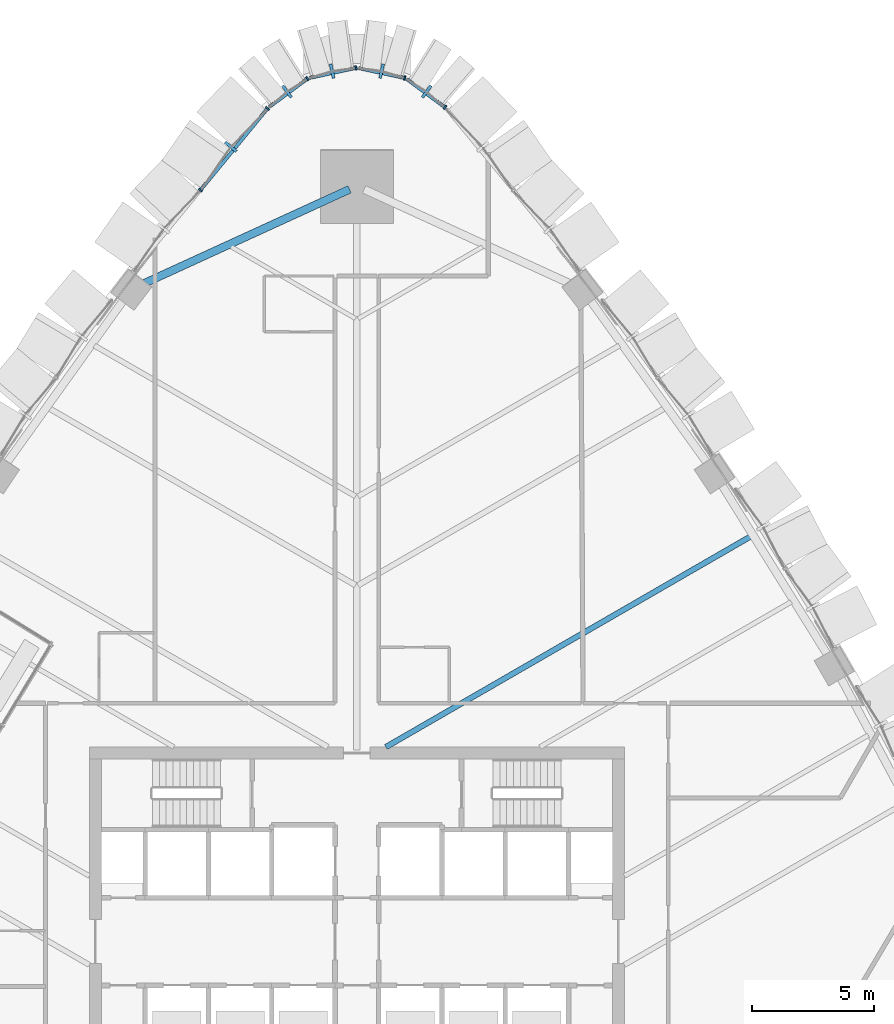
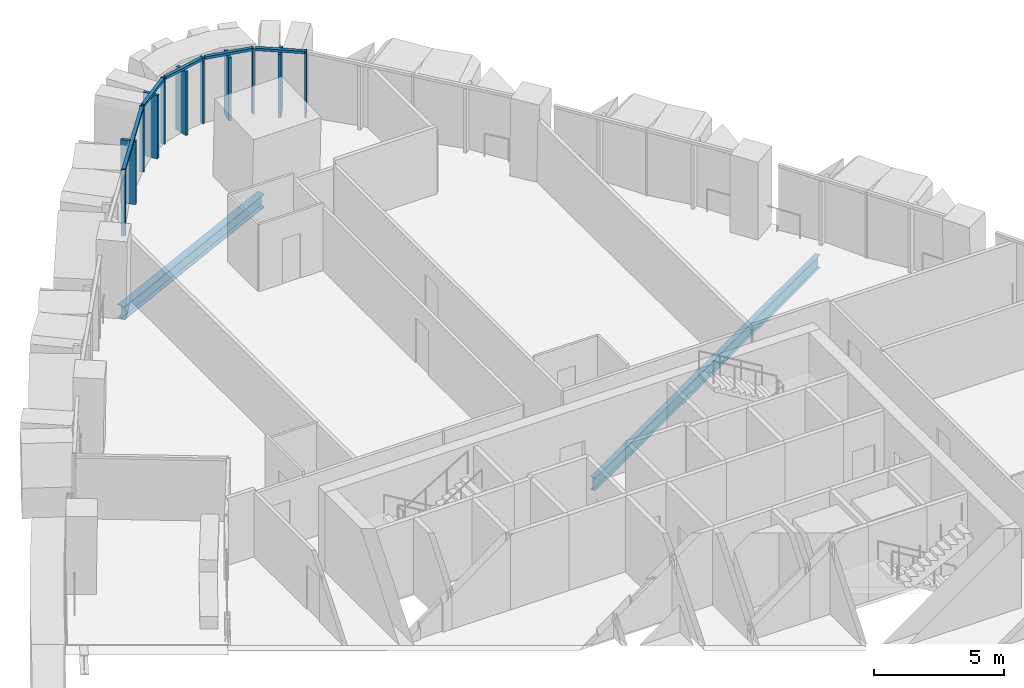
# One storey, part 7 of 24: 16 members, 2 beams, 5 elements without a shape of their own.
"""IFC4 building model written with IfcOpenShell, lengths in metres."""

import ifcopenshell
import ifcopenshell.guid

model = None  # the IFC model being written
_history = None  # IfcOwnerHistory: only IFC2X3 demands one
_inside = {}  # id of a spatial element -> (the spatial element, [elements in it])
_under = {}  # id of a project, library or spatial element -> (it, [spatial elements below it])
_declared = {}  # id of a project -> (the project, [libraries it declares])
_typed = {}  # id of a type object -> (the type object, [elements of that type])
_made_of = {}  # id of a material, layer set ... -> (it, [elements and type objects made of it])


def new_model(schema):
    """Start an empty IFC model of exactly this schema.

    Asked for "IFC4X3", IfcOpenShell would pick the latest addendum, in which some entities
    have other attributes; the version numbers below select the first issue.
    IFC2X3 requires an IfcOwnerHistory on every rooted entity: one is made here for all.
    """
    global model, _history
    if schema == "IFC4X3":
        model = ifcopenshell.file(schema_version=(4, 3, 0, 0))
    else:
        model = ifcopenshell.file(schema=schema)
    _inside.clear()
    _under.clear()
    _declared.clear()
    _typed.clear()
    _made_of.clear()
    _history = None
    if model.schema == "IFC2X3":
        org = make("IfcOrganization", Name="unknown")
        user = make(
            "IfcPersonAndOrganization",
            ThePerson=make("IfcPerson", FamilyName="unknown"),
            TheOrganization=org,
        )
        app = make(
            "IfcApplication",
            ApplicationDeveloper=org,
            Version="unknown",
            ApplicationFullName="unknown",
            ApplicationIdentifier="unknown",
        )
        _history = make(
            "IfcOwnerHistory",
            OwningUser=user,
            OwningApplication=app,
            ChangeAction="ADDED",
            CreationDate=0,
        )
    return model


def make(cls, **values):
    """One entity of the class cls with the attributes given. An attribute that is None is left unset."""
    return model.create_entity(
        cls, **{name: value for name, value in values.items() if value is not None}
    )


def rooted(cls, **values):
    """An entity with a GlobalId (a new one), such as an element, a storey or a relation."""
    return make(cls, GlobalId=ifcopenshell.guid.new(), OwnerHistory=_history, **values)


def si_unit(unit_type, name, prefix=None):
    """IfcSIUnit, for example si_unit("LENGTHUNIT", "METRE", prefix="MILLI")."""
    return make("IfcSIUnit", UnitType=unit_type, Prefix=prefix, Name=name)


def assignment(units):
    """IfcUnitAssignment: the units of a project."""
    return None if units is None else make("IfcUnitAssignment", Units=units)


def point(xyz):
    """IfcCartesianPoint."""
    return None if xyz is None else make("IfcCartesianPoint", Coordinates=xyz)


def direction(xyz):
    """IfcDirection."""
    return None if xyz is None else make("IfcDirection", DirectionRatios=xyz)


def frame(location, z_axis=None, x_axis=None):
    """IfcAxis2Placement3D, a coordinate frame: its origin and axes. An axis left out is left unset."""
    return make(
        "IfcAxis2Placement3D",
        Location=point(location),
        Axis=direction(z_axis),
        RefDirection=direction(x_axis),
    )


def frame_2d(location, x_axis=None):
    """IfcAxis2Placement2D, a coordinate frame in the plane: its origin and x axis."""
    return make(
        "IfcAxis2Placement2D", Location=point(location), RefDirection=direction(x_axis)
    )


def origin():
    """The frame at (0, 0, 0) with its axes left unset."""
    return frame((0.0, 0.0, 0.0))


def origin_2d():
    """The frame at (0, 0) in the plane with its x axis left unset."""
    return frame_2d((0.0, 0.0))


def place(relative_to, where):
    """IfcLocalPlacement: puts the frame where relative to a parent placement (None: the world)."""
    return make(
        "IfcLocalPlacement", PlacementRelTo=relative_to, RelativePlacement=where
    )


def context(
    kind, dimensions, precision=None, world=None, true_north=None, identifier=None
):
    """IfcGeometricRepresentationContext, for example the 3D "Model" context."""
    return make(
        "IfcGeometricRepresentationContext",
        ContextIdentifier=identifier,
        ContextType=kind,
        CoordinateSpaceDimension=dimensions,
        Precision=precision,
        WorldCoordinateSystem=world,
        TrueNorth=true_north,
    )


def subcontext(parent, identifier, kind, view, scale=None):
    """IfcGeometricRepresentationSubContext, for example "Body" below "Model"."""
    return make(
        "IfcGeometricRepresentationSubContext",
        ContextIdentifier=identifier,
        ContextType=kind,
        ParentContext=parent,
        TargetScale=scale,
        TargetView=view,
    )


def project(units=None, contexts=None):
    """IfcProject with its units and contexts."""
    return rooted(
        "IfcProject",
        Name="project",
        RepresentationContexts=contexts,
        UnitsInContext=assignment(units),
    )


def spatial(cls, under=None, at=None, **own):
    """A site, building, storey or space (cls), placed at a placement, below another one or the project."""
    s = rooted(cls, ObjectPlacement=at, **own)
    if under is not None:
        _under.setdefault(under.id(), (under, []))[1].append(s)
    return s


def profile(cls, at=None, kind="AREA", **sizes):
    """A parametric profile (cls). Its sizes go by their IFC names, for example OverallWidth=200.0."""
    return make(cls, ProfileType=kind, Position=at, **sizes)


def rectangle(**sizes):
    """IfcRectangleProfileDef."""
    return profile("IfcRectangleProfileDef", **sizes)


def i_section(**sizes):
    """IfcIShapeProfileDef."""
    return profile("IfcIShapeProfileDef", **sizes)


def extrude(swept, where, along, depth):
    """IfcExtrudedAreaSolid: the profile swept, set in the frame where, extruded along a direction by depth."""
    return make(
        "IfcExtrudedAreaSolid",
        SweptArea=swept,
        Position=where,
        ExtrudedDirection=direction(along),
        Depth=depth,
    )


def shape(context_of_items, identifier, shape_type, items):
    """IfcShapeRepresentation: the items that make up one representation, for example the "Body"."""
    return make(
        "IfcShapeRepresentation",
        ContextOfItems=context_of_items,
        RepresentationIdentifier=identifier,
        RepresentationType=shape_type,
        Items=items,
    )


def material(Name=None, Category=None):
    """IfcMaterial."""
    return make("IfcMaterial", Name=Name, Category=Category)


def layer(
    of_material, thickness, ventilated=None, Name=None, Category=None, Priority=None
):
    """IfcMaterialLayer: one layer of a wall or slab, of a material (None: an air gap)."""
    return make(
        "IfcMaterialLayer",
        Material=of_material,
        LayerThickness=thickness,
        IsVentilated=ventilated,
        Name=Name,
        Category=Category,
        Priority=Priority,
    )


def layer_set(layers, Name=None):
    """IfcMaterialLayerSet."""
    return make("IfcMaterialLayerSet", MaterialLayers=layers, LayerSetName=Name)


def material_profile(
    of_material, cross_section, Name=None, Category=None, Priority=None
):
    """IfcMaterialProfile: a cross section and its material."""
    return make(
        "IfcMaterialProfile",
        Name=Name,
        Material=of_material,
        Profile=cross_section,
        Priority=Priority,
        Category=Category,
    )


def profile_set(profiles, Name=None, composite=None):
    """IfcMaterialProfileSet."""
    return make(
        "IfcMaterialProfileSet",
        Name=Name,
        MaterialProfiles=profiles,
        CompositeProfile=composite,
    )


def made_of(thing, what):
    """Note that an element or type object is made of a material, layer set ...; save() writes the relation."""
    if what is not None:
        _made_of.setdefault(what.id(), (what, []))[1].append(thing)
    return thing


def type_object(cls, material=None, **own):
    """A type object (cls), such as IfcWallType, which elements share."""
    return made_of(rooted(cls, **own), material)


def element(
    cls,
    number,
    at=None,
    inside=None,
    cuts=None,
    type_object=None,
    material=None,
    context=None,
    identifier="Body",
    shape_type=None,
    held_by="IfcProductDefinitionShape",
    body=None,
    shapes=None,
    **own,
):
    """One element of the class cls, such as IfcWall. Its Tag is "e" and its number.

    at: its placement. inside: the storey or other place that contains it. cuts: it is an
    opening in that element (IfcRelVoidsElement). A single representation is given by context,
    identifier, shape_type and body (its items); several are given by shapes. held_by: the class
    of the entity that holds the representations. save() writes the other relations.
    """
    e = rooted(cls, Tag="e%d" % number, ObjectPlacement=at, **own)
    if body is not None:
        shapes = [shape(context, identifier, shape_type, body)]
    if shapes is not None:
        e.Representation = make(held_by, Representations=shapes)
    if inside is not None:
        _inside.setdefault(inside.id(), (inside, []))[1].append(e)
    if cuts is not None:
        rooted(
            "IfcRelVoidsElement", RelatingBuildingElement=cuts, RelatedOpeningElement=e
        )
    if type_object is not None:
        _typed.setdefault(type_object.id(), (type_object, []))[1].append(e)
    return made_of(e, material)


def aggregate(whole, parts):
    """IfcRelAggregates: a whole, such as a stair, and the parts it consists of."""
    return rooted("IfcRelAggregates", RelatingObject=whole, RelatedObjects=parts)


def save(model, path):
    """Write the relations noted so far, then the file.

    IfcRelAggregates (storeys below a building ...), IfcRelContainedInSpatialStructure (elements
    in a storey), IfcRelDefinesByType, IfcRelAssociatesMaterial and IfcRelDeclares: one each for
    every whole, place, type object, material and project.
    """
    for whole, parts in _under.values():
        aggregate(whole, parts)
    for where, things in _inside.values():
        rooted(
            "IfcRelContainedInSpatialStructure",
            RelatedElements=things,
            RelatingStructure=where,
        )
    for kind, things in _typed.values():
        rooted("IfcRelDefinesByType", RelatedObjects=things, RelatingType=kind)
    for what, things in _made_of.values():
        rooted("IfcRelAssociatesMaterial", RelatedObjects=things, RelatingMaterial=what)
    for by, libraries in _declared.values():
        rooted("IfcRelDeclares", RelatingContext=by, RelatedDefinitions=libraries)
    model.write(path)


model = new_model("IFC4")

# Units and contexts
model_context = context("Model", 3, precision=1e-05, world=origin(), true_north=direction((0.0, 1.0)))
body_context = subcontext(model_context, "Body", "Model", "MODEL_VIEW")
ifc_project = project(units=[si_unit("LENGTHUNIT", "METRE"), si_unit("AREAUNIT", "SQUARE_METRE"), si_unit("VOLUMEUNIT", "CUBIC_METRE"), si_unit("PLANEANGLEUNIT", "RADIAN"), si_unit("MASSUNIT", "GRAM", prefix="KILO")], contexts=[model_context])

# Site, building, storey
site_placement = place(None, origin())
site = spatial("IfcSite", under=ifc_project, at=site_placement, CompositionType="ELEMENT")
building_placement = place(site_placement, origin())
building = spatial("IfcBuilding", under=site, at=building_placement, Name="Sierra Prisma Convention Tower", CompositionType="ELEMENT")
storey_placement = place(building_placement, frame((0.0, 0.0, 59.10009765625)))
storey = spatial("IfcBuildingStorey", under=building, at=storey_placement, Name="L10", CompositionType="ELEMENT", Elevation=59.10009765625)

# Curtain wall, member
ifc_material_1 = material(Name="Aluminium and glass curtain wall", Category="aluminium")
ifc_layer = layer(ifc_material_1, 0.179931640625)
ifc_layer_set = layer_set([ifc_layer], Name="CW-2 Faceted crystal curtain wall")
curtain_wall_type = type_object("IfcCurtainWallType", Name="CW-2 Faceted crystal curtain wall", PredefinedType="NOTDEFINED", material=ifc_layer_set)
curtain_wall_1_placement = place(storey_placement, origin())
curtain_wall_1 = element("IfcCurtainWall", 1, at=curtain_wall_1_placement, inside=storey, type_object=curtain_wall_type, Name="CW-2 N1 L10", PredefinedType="NOTDEFINED")
ifc_material_2 = material(Name="Aluminium 6063-T6 bronze anodised", Category="aluminium")
ifc_material_profile_1 = material_profile(ifc_material_2, rectangle(XDim=0.1201171875, YDim=0.60009765625, at=origin_2d()), Name="ALU RIDGE BLADE 120x600")
ifc_profile_set_1 = profile_set([ifc_material_profile_1], Name="Aluminium 6063-T6 bronze anodised")
member_type_1 = type_object("IfcMemberType", Name="CW hip bronze", PredefinedType="MULLION", material=ifc_profile_set_1)
member_1_placement = place(storey_placement, frame((2.872802734375, 34.947021484375, 0.0), z_axis=(0.0, 0.0, 1.0), x_axis=(-0.803907262097, 0.594754667025, 0.0)))
member_1 = element("IfcMember", 2, at=member_1_placement, type_object=member_type_1, Name="CW-2 ridge N1.1", PredefinedType="MULLION", context=body_context, shape_type="SweptSolid", body=[
    extrude(rectangle(XDim=0.1201171875, YDim=0.60009765625, at=origin_2d()), origin(), (0.0, 0.0, 1.0), 2.97998046875),
])

curtain_wall_2_placement = place(storey_placement, origin())
curtain_wall_2 = element("IfcCurtainWall", 3, at=curtain_wall_2_placement, inside=storey, type_object=curtain_wall_type, Name="CW-2 N2 L10", PredefinedType="NOTDEFINED")
member_2_placement = place(storey_placement, frame((1.017822265625, 35.78564453125, 0.0), z_axis=(0.0, 0.0, 1.0), x_axis=(-0.977544625313, 0.210728511411, 0.0)))
member_2 = element("IfcMember", 4, at=member_2_placement, type_object=member_type_1, Name="CW-2 ridge N2.1", PredefinedType="MULLION", context=body_context, shape_type="SweptSolid", body=[
    extrude(rectangle(XDim=0.1201171875, YDim=0.60009765625, at=origin_2d()), origin(), (0.0, 0.0, 1.0), 2.97998046875),
])

curtain_wall_3_placement = place(storey_placement, origin())
curtain_wall_3 = element("IfcCurtainWall", 5, at=curtain_wall_3_placement, inside=storey, type_object=curtain_wall_type, Name="CW-2 N3 L10", PredefinedType="NOTDEFINED")
member_3_placement = place(storey_placement, frame((-1.017822265625, 35.78564453125, 0.0), z_axis=(0.0, 0.0, 1.0), x_axis=(-0.977544625313, -0.210728511411, 0.0)))
member_3 = element("IfcMember", 6, at=member_3_placement, type_object=member_type_1, Name="CW-2 ridge N3.1", PredefinedType="MULLION", context=body_context, shape_type="SweptSolid", body=[
    extrude(rectangle(XDim=0.1201171875, YDim=0.60009765625, at=origin_2d()), origin(), (0.0, 0.0, 1.0), 2.97998046875),
])

curtain_wall_4_placement = place(storey_placement, origin())
curtain_wall_4 = element("IfcCurtainWall", 7, at=curtain_wall_4_placement, inside=storey, type_object=curtain_wall_type, Name="CW-2 N4 L10", PredefinedType="NOTDEFINED")
member_4_placement = place(storey_placement, frame((-2.872802734375, 34.947021484375, 0.0), z_axis=(0.0, 0.0, 1.0), x_axis=(-0.803907262097, -0.594754667025, 0.0)))
member_4 = element("IfcMember", 8, at=member_4_placement, type_object=member_type_1, Name="CW-2 ridge N4.1", PredefinedType="MULLION", context=body_context, shape_type="SweptSolid", body=[
    extrude(rectangle(XDim=0.1201171875, YDim=0.60009765625, at=origin_2d()), origin(), (0.0, 0.0, 1.0), 2.97998046875),
])

curtain_wall_5_placement = place(storey_placement, origin())
curtain_wall_5 = element("IfcCurtainWall", 9, at=curtain_wall_5_placement, inside=storey, type_object=curtain_wall_type, Name="CW-2 NW1 L10", PredefinedType="NOTDEFINED")
member_5_placement = place(storey_placement, frame((-5.1845703125, 32.67724609375, 0.0), z_axis=(0.0, 0.0, 1.0), x_axis=(-0.634937961683, -0.77256312675, 0.0)))
member_5 = element("IfcMember", 10, at=member_5_placement, type_object=member_type_1, Name="CW-2 ridge NW1.1", PredefinedType="MULLION", context=body_context, shape_type="SweptSolid", body=[
    extrude(rectangle(XDim=0.1201171875, YDim=0.60009765625, at=origin_2d()), origin(), (0.0, 0.0, 1.0), 2.97998046875),
])

# Member
ifc_material_3 = material(Name="Aluminium 6063-T6 bronze anodised", Category="aluminium")
ifc_material_profile_2 = material_profile(ifc_material_3, rectangle(XDim=0.179931640625, YDim=0.070068359375, at=origin_2d()), Name="ALU MULLION 70x180")
ifc_profile_set_2 = profile_set([ifc_material_profile_2], Name="Aluminium 6063-T6 bronze anodised")
member_type_2 = type_object("IfcMemberType", Name="CW mullion bronze", PredefinedType="MULLION", material=ifc_profile_set_2)
member_6_placement = place(storey_placement, frame((3.6240234375, 34.297607421875, 0.0), z_axis=(0.0, 0.0, 1.0), x_axis=(-0.594754667025, -0.803907262097, 0.0)))
member_6 = element("IfcMember", 11, at=member_6_placement, type_object=member_type_2, Name="CW-1 mullion N1.1", PredefinedType="MULLION", context=body_context, shape_type="SweptSolid", body=[
    extrude(rectangle(XDim=0.179931640625, YDim=0.070068359375, at=origin_2d()), origin(), (0.0, 0.0, 1.0), 3.099853515625),
])

member_7_placement = place(storey_placement, frame((1.9697265625, 35.50341796875, 0.0), z_axis=(0.0, 0.0, 1.0), x_axis=(-0.210728511411, -0.977544625313, 0.0)))
member_7 = element("IfcMember", 12, at=member_7_placement, type_object=member_type_2, Name="CW-1 mullion N2.1", PredefinedType="MULLION", context=body_context, shape_type="SweptSolid", body=[
    extrude(rectangle(XDim=0.179931640625, YDim=0.070068359375, at=origin_2d()), origin(), (0.0, 0.0, 1.0), 3.099853515625),
])

member_8_placement = place(storey_placement, frame((-0.0341796875, 35.9208984375, 0.0), z_axis=(0.0, 0.0, 1.0), x_axis=(0.210728511411, -0.977544625313, 0.0)))
member_8 = element("IfcMember", 13, at=member_8_placement, type_object=member_type_2, Name="CW-1 mullion N3.1", PredefinedType="MULLION", context=body_context, shape_type="SweptSolid", body=[
    extrude(rectangle(XDim=0.179931640625, YDim=0.070068359375, at=origin_2d()), origin(), (0.0, 0.0, 1.0), 3.099853515625),
])

member_9_placement = place(storey_placement, frame((-2.0322265625, 35.475341796875, 0.0), z_axis=(0.0, 0.0, 1.0), x_axis=(0.594754667025, -0.803907262097, 0.0)))
member_9 = element("IfcMember", 14, at=member_9_placement, type_object=member_type_2, Name="CW-1 mullion N4.1", PredefinedType="MULLION", context=body_context, shape_type="SweptSolid", body=[
    extrude(rectangle(XDim=0.179931640625, YDim=0.070068359375, at=origin_2d()), origin(), (0.0, 0.0, 1.0), 3.099853515625),
])

member_10_placement = place(storey_placement, frame((-3.67431640625, 34.249755859375, 0.0), z_axis=(0.0, 0.0, 1.0), x_axis=(0.77256312675, -0.634937961683, 0.0)))
member_10 = element("IfcMember", 15, at=member_10_placement, type_object=member_type_2, Name="CW-1 mullion NW1.1", PredefinedType="MULLION", context=body_context, shape_type="SweptSolid", body=[
    extrude(rectangle(XDim=0.179931640625, YDim=0.070068359375, at=origin_2d()), origin(), (0.0, 0.0, 1.0), 3.099853515625),
])

member_11_placement = place(storey_placement, frame((-6.434814453125, 30.89111328125, 0.0), z_axis=(0.0, 0.0, 1.0), x_axis=(0.77256312675, -0.634937961683, 0.0)))
member_11 = element("IfcMember", 16, at=member_11_placement, type_object=member_type_2, Name="CW-1 mullion NW1.2", PredefinedType="MULLION", context=body_context, shape_type="SweptSolid", body=[
    extrude(rectangle(XDim=0.179931640625, YDim=0.070068359375, at=origin_2d()), origin(), (0.0, 0.0, 1.0), 3.099853515625),
])

ifc_material_4 = material(Name="Aluminium 6063-T6 bronze anodised", Category="aluminium")
ifc_material_profile_3 = material_profile(ifc_material_4, rectangle(XDim=0.139892578125, YDim=0.1201171875, at=origin_2d()), Name="ALU TRANSOM 120x140")
ifc_profile_set_3 = profile_set([ifc_material_profile_3], Name="Aluminium 6063-T6 bronze anodised")
member_type_3 = type_object("IfcMemberType", Name="CW transom bronze", PredefinedType="USERDEFINED", material=ifc_profile_set_3)
member_12_placement = place(storey_placement, frame((3.595947265625, 34.318603515625, 3.039794921875), z_axis=(-0.803939671891, 0.594710857442, 0.0), x_axis=(-0.594710857442, -0.803939671891, 0.0)))
member_12 = element("IfcMember", 17, at=member_12_placement, type_object=member_type_3, Name="CW-1 transom N1.1", ObjectType="TRANSOM", PredefinedType="USERDEFINED", context=body_context, shape_type="SweptSolid", body=[
    extrude(rectangle(XDim=0.139892578125, YDim=0.1201171875, at=origin_2d()), origin(), (0.0, 0.0, 1.0), 1.91015625),
])

aggregate(curtain_wall_1, [member_6, member_12, member_1])

member_13_placement = place(storey_placement, frame((1.935546875, 35.510986328125, 3.039794921875), z_axis=(-0.97756234824, 0.21064628006, 0.0), x_axis=(-0.21064628006, -0.97756234824, 0.0)))
member_13 = element("IfcMember", 18, at=member_13_placement, type_object=member_type_3, Name="CW-1 transom N2.1", ObjectType="TRANSOM", PredefinedType="USERDEFINED", context=body_context, shape_type="SweptSolid", body=[
    extrude(rectangle(XDim=0.139892578125, YDim=0.1201171875, at=origin_2d()), origin(), (0.0, 0.0, 1.0), 1.91015625),
])

aggregate(curtain_wall_2, [member_7, member_13, member_2])

member_14_placement = place(storey_placement, frame((-0.068359375, 35.913330078125, 3.039794921875), z_axis=(-0.97756234824, -0.21064628006, 0.0), x_axis=(0.21064628006, -0.97756234824, 0.0)))
member_14 = element("IfcMember", 19, at=member_14_placement, type_object=member_type_3, Name="CW-1 transom N3.1", ObjectType="TRANSOM", PredefinedType="USERDEFINED", context=body_context, shape_type="SweptSolid", body=[
    extrude(rectangle(XDim=0.139892578125, YDim=0.1201171875, at=origin_2d()), origin(), (0.0, 0.0, 1.0), 1.91015625),
])

aggregate(curtain_wall_3, [member_8, member_14, member_3])

member_15_placement = place(storey_placement, frame((-2.060302734375, 35.45458984375, 3.039794921875), z_axis=(-0.803939671891, -0.594710857442, 0.0), x_axis=(0.594710857442, -0.803939671891, 0.0)))
member_15 = element("IfcMember", 20, at=member_15_placement, type_object=member_type_3, Name="CW-1 transom N4.1", ObjectType="TRANSOM", PredefinedType="USERDEFINED", context=body_context, shape_type="SweptSolid", body=[
    extrude(rectangle(XDim=0.139892578125, YDim=0.1201171875, at=origin_2d()), origin(), (0.0, 0.0, 1.0), 1.91015625),
])

aggregate(curtain_wall_4, [member_9, member_15, member_4])

member_16_placement = place(storey_placement, frame((-3.696533203125, 34.22265625, 3.039794921875), z_axis=(-0.634976741493, -0.772531253583, 0.0), x_axis=(0.772531253583, -0.634976741493, 0.0)))
member_16 = element("IfcMember", 21, at=member_16_placement, type_object=member_type_3, Name="CW-1 transom NW1.1", ObjectType="TRANSOM", PredefinedType="USERDEFINED", context=body_context, shape_type="SweptSolid", body=[
    extrude(rectangle(XDim=0.139892578125, YDim=0.1201171875, at=origin_2d()), origin(), (0.0, 0.0, 1.0), 4.27734375),
])

aggregate(curtain_wall_5, [member_10, member_11, member_16, member_5])

# Beams
ifc_material_5 = material(Name="Steel ASTM A992 Gr 50", Category="steel")
ifc_material_profile_4 = material_profile(ifc_material_5, i_section(OverallWidth=0.22802734375, OverallDepth=0.60302734375, WebThickness=0.010498046875, FlangeThickness=0.014892578125, at=origin_2d()), Name="W610x101")
ifc_profile_set_4 = profile_set([ifc_material_profile_4], Name="Steel ASTM A992 Gr 50")
beam_type_1 = type_object("IfcBeamType", Name="Floor joist W610x101", PredefinedType="JOIST", material=ifc_profile_set_4)
beam_1_placement = place(storey_placement, frame((16.18701171875, 16.65478515625, -0.45166015625), z_axis=(-0.866024694585, -0.500001228368, 0.0), x_axis=(0.500001228368, -0.866024694585, 0.0)))
element("IfcBeam", 22, at=beam_1_placement, inside=storey, type_object=beam_type_1, Name="Floor joist L10 NE11", PredefinedType="JOIST", context=body_context, shape_type="SweptSolid", body=[
    extrude(i_section(OverallWidth=0.22802734375, OverallDepth=0.60302734375, WebThickness=0.010498046875, FlangeThickness=0.014892578125, at=origin_2d()), origin(), (0.0, 0.0, 1.0), 17.3095703125),
])
ifc_material_6 = material(Name="Steel ASTM A992 Gr 50", Category="steel")
ifc_material_profile_5 = material_profile(ifc_material_6, i_section(OverallWidth=0.324951171875, OverallDepth=0.615966796875, WebThickness=0.013916015625, FlangeThickness=0.021484375, at=origin_2d()), Name="W610x174")
ifc_profile_set_5 = profile_set([ifc_material_profile_5], Name="Steel ASTM A992 Gr 50")
beam_type_2 = type_object("IfcBeamType", Name="Spandrel beam W610x174", PredefinedType="BEAM", material=ifc_profile_set_5)
beam_2_placement = place(storey_placement, frame((-0.300048828125, 30.926513671875, -0.4580078125), z_axis=(-0.90917651973, -0.416410922012, 0.0), x_axis=(0.416410922012, -0.90917651973, 0.0)))
element("IfcBeam", 23, at=beam_2_placement, inside=storey, type_object=beam_type_2, Name="Spandrel L10-13", PredefinedType="BEAM", context=body_context, shape_type="SweptSolid", body=[
    extrude(i_section(OverallWidth=0.324951171875, OverallDepth=0.615966796875, WebThickness=0.013916015625, FlangeThickness=0.021484375, at=origin_2d()), origin(), (0.0, 0.0, 1.0), 9.31103515625),
])

save(model, "model.ifc")
